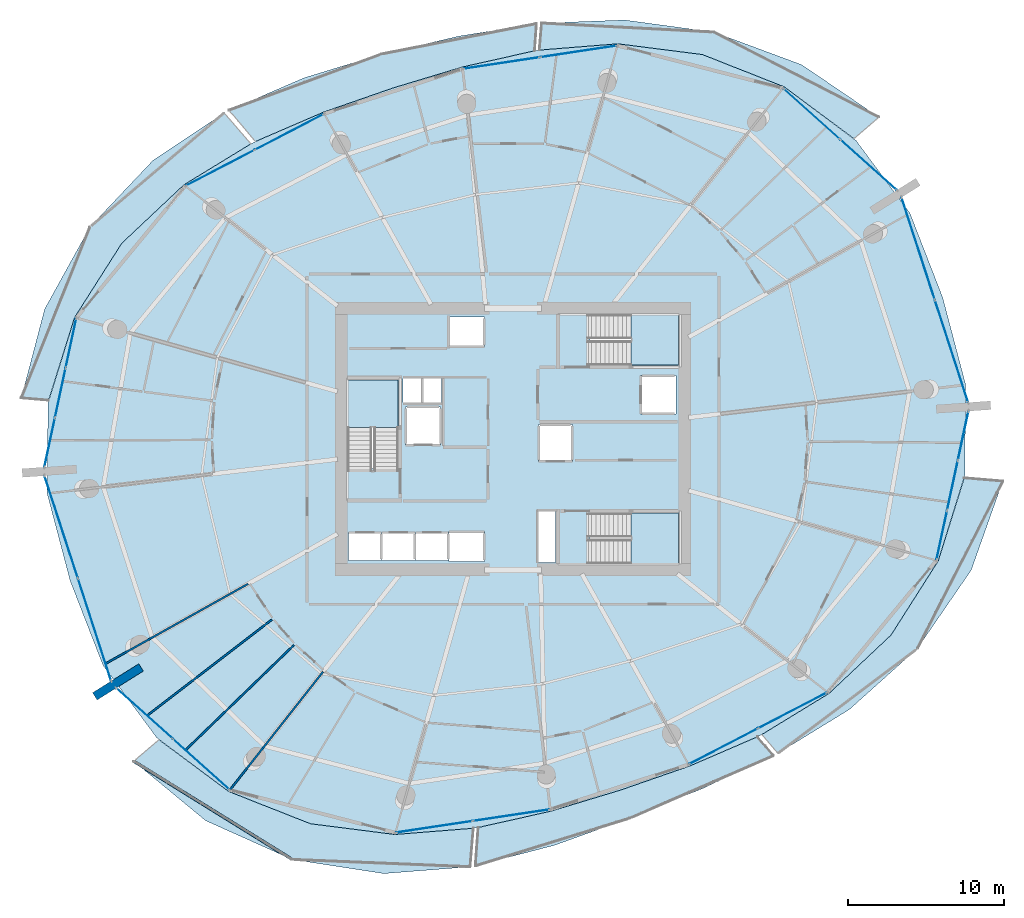
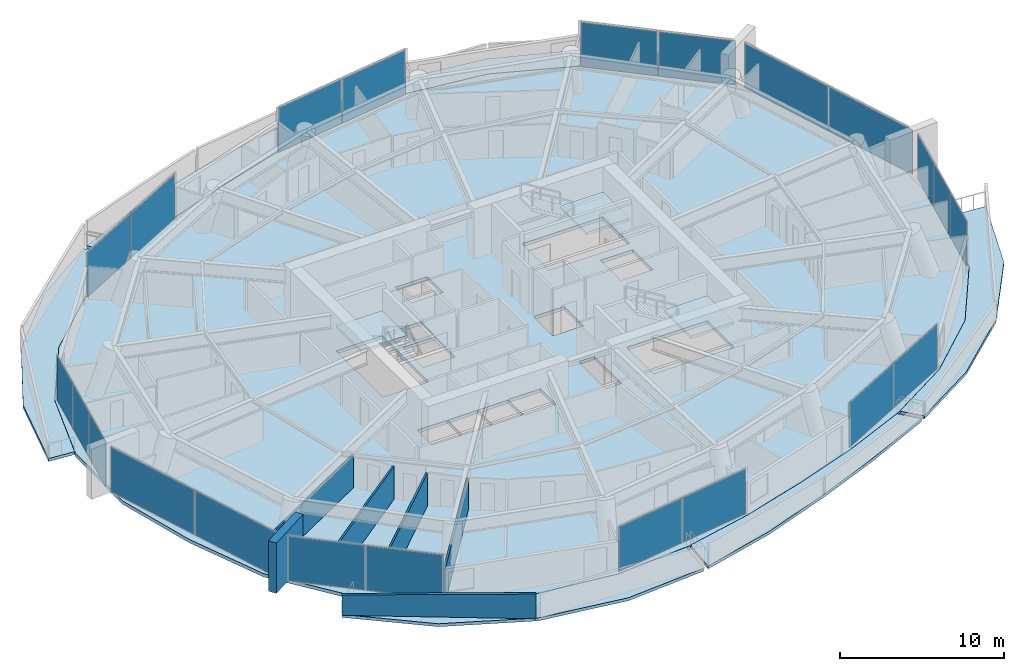
# One storey, part 10 of 23: 22 plates, 10 slabs, 6 walls, 13 elements without a shape of their own.
"""IFC4 building model written with IfcOpenShell, lengths in metres."""

from ifc_helpers import new_model, si_unit, direction, frame, frame_2d, origin, origin_2d, place, context, subcontext, project, spatial, polyline, rectangle, outline, extrude, material, layer, layer_set, type_object, element, aggregate, save


model = new_model("IFC4")

# Units and contexts
model_context = context("Model", 3, precision=1e-05, world=origin(), true_north=direction((0.0, 1.0)))
body_context = subcontext(model_context, "Body", "Model", "MODEL_VIEW")
ifc_project = project(units=[si_unit("LENGTHUNIT", "METRE"), si_unit("AREAUNIT", "SQUARE_METRE"), si_unit("VOLUMEUNIT", "CUBIC_METRE"), si_unit("PLANEANGLEUNIT", "RADIAN"), si_unit("MASSUNIT", "GRAM", prefix="KILO")], contexts=[model_context])

# Site, building, storey
site_placement = place(None, origin())
site = spatial("IfcSite", under=ifc_project, at=site_placement, CompositionType="ELEMENT")
building_placement = place(site_placement, origin())
building = spatial("IfcBuilding", under=site, at=building_placement, Name="Kazma Halo Residences", CompositionType="ELEMENT")
storey_placement = place(building_placement, frame((0.0, 0.0, 112.64990234375)))
storey = spatial("IfcBuildingStorey", under=building, at=storey_placement, Name="L28", CompositionType="ELEMENT", Elevation=112.64990234375)

# Curtain wall, plates
ifc_material_1 = material(Name="Aluminium AW-6063 T6 and Triple-Silver Low-E Glass", Category="aluminium")
ifc_layer_1 = layer(ifc_material_1, 0.199951171875)
ifc_layer_set_1 = layer_set([ifc_layer_1], Name="Aluminium AW-6063 T6 and Triple-Silver Low-E Glass")
curtain_wall_type = type_object("IfcCurtainWallType", Name="CW-SYS-3", PredefinedType="NOTDEFINED", material=ifc_layer_set_1)
curtain_wall_1_placement = place(storey_placement, origin())
curtain_wall_1 = element("IfcCurtainWall", 1, at=curtain_wall_1_placement, inside=storey, type_object=curtain_wall_type, Name="L28 unitised curtain wall B01", PredefinedType="NOTDEFINED")
ifc_material_2 = material(Name="Clear Triple-Silver Low-E Glass IGU", Category="glass")
ifc_layer_2 = layer(ifc_material_2, 0.030029296875)
ifc_layer_set_2 = layer_set([ifc_layer_2], Name="Clear Triple-Silver Low-E Glass IGU")
plate_type = type_object("IfcPlateType", Name="CW-SYS-3-PNL", PredefinedType="CURTAIN_PANEL", material=ifc_layer_set_2)
plate_1_placement = place(storey_placement, frame((71.251220703125, 59.614013671875, 0.070068359375), z_axis=(0.0, 0.0, 1.0), x_axis=(-0.744345279359, 0.667794957375, 0.0)))
plate_1 = element("IfcPlate", 2, at=plate_1_placement, type_object=plate_type, Name="CWS-3 panel 1.1", PredefinedType="CURTAIN_PANEL", context=body_context, shape_type="SweptSolid", body=[
    extrude(rectangle(XDim=4.81982421875, YDim=0.030029296875, at=origin_2d()), origin(), (0.0, 0.0, 1.0), 3.330078125),
])
plate_2_placement = place(storey_placement, frame((67.611572265625, 62.87939453125, 0.070068359375), z_axis=(0.0, 0.0, 1.0), x_axis=(-0.744345279359, 0.667794957375, 0.0)))
plate_2 = element("IfcPlate", 3, at=plate_2_placement, type_object=plate_type, Name="CWS-3 panel 2.1", PredefinedType="CURTAIN_PANEL", context=body_context, shape_type="SweptSolid", body=[
    extrude(rectangle(XDim=4.81982421875, YDim=0.030029296875, at=origin_2d()), origin(), (0.0, 0.0, 1.0), 3.330078125),
])
aggregate(curtain_wall_1, [plate_1, plate_2])

curtain_wall_2_placement = place(storey_placement, origin())
curtain_wall_2 = element("IfcCurtainWall", 4, at=curtain_wall_2_placement, inside=storey, type_object=curtain_wall_type, Name="L28 unitised curtain wall B03", PredefinedType="NOTDEFINED")
plate_3_placement = place(storey_placement, frame((52.625732421875, 66.900390625, 0.070068359375), z_axis=(0.0, 0.0, 1.0), x_axis=(-0.988879747814, -0.148717330409, 0.0)))
plate_3 = element("IfcPlate", 5, at=plate_3_placement, type_object=plate_type, Name="CWS-3 panel 1.1", PredefinedType="CURTAIN_PANEL", context=body_context, shape_type="SweptSolid", body=[
    extrude(rectangle(XDim=4.922607421875, YDim=0.030029296875, at=origin_2d()), origin(), (0.0, 0.0, 1.0), 3.330078125),
])
plate_4_placement = place(storey_placement, frame((47.6884765625, 66.157958984375, 0.070068359375), z_axis=(0.0, 0.0, 1.0), x_axis=(-0.988879747814, -0.148717330409, 0.0)))
plate_4 = element("IfcPlate", 6, at=plate_4_placement, type_object=plate_type, Name="CWS-3 panel 2.1", PredefinedType="CURTAIN_PANEL", context=body_context, shape_type="SweptSolid", body=[
    extrude(rectangle(XDim=4.922607421875, YDim=0.030029296875, at=origin_2d()), origin(), (0.0, 0.0, 1.0), 3.330078125),
])
aggregate(curtain_wall_2, [plate_3, plate_4])

curtain_wall_3_placement = place(storey_placement, origin())
curtain_wall_3 = element("IfcCurtainWall", 7, at=curtain_wall_3_placement, inside=storey, type_object=curtain_wall_type, Name="L28 unitised curtain wall B05", PredefinedType="NOTDEFINED")
plate_5_placement = place(storey_placement, frame((34.052490234375, 61.727294921875, 0.070068359375), z_axis=(0.0, 0.0, 1.0), x_axis=(-0.887435374749, -0.460932159481, 0.0)))
plate_5 = element("IfcPlate", 8, at=plate_5_placement, type_object=plate_type, Name="CWS-3 panel 1.1", PredefinedType="CURTAIN_PANEL", context=body_context, shape_type="SweptSolid", body=[
    extrude(rectangle(XDim=4.9228515625, YDim=0.030029296875, at=origin_2d()), origin(), (0.0, 0.0, 1.0), 3.330078125),
])
plate_6_placement = place(storey_placement, frame((29.62158203125, 59.426025390625, 0.070068359375), z_axis=(0.0, 0.0, 1.0), x_axis=(-0.887435374749, -0.460932159481, 0.0)))
plate_6 = element("IfcPlate", 9, at=plate_6_placement, type_object=plate_type, Name="CWS-3 panel 2.1", PredefinedType="CURTAIN_PANEL", context=body_context, shape_type="SweptSolid", body=[
    extrude(rectangle(XDim=4.9228515625, YDim=0.030029296875, at=origin_2d()), origin(), (0.0, 0.0, 1.0), 3.330078125),
])
aggregate(curtain_wall_3, [plate_5, plate_6])

curtain_wall_4_placement = place(storey_placement, origin())
curtain_wall_4 = element("IfcCurtainWall", 10, at=curtain_wall_4_placement, inside=storey, type_object=curtain_wall_type, Name="L28 unitised curtain wall B07", PredefinedType="NOTDEFINED")
plate_7_placement = place(storey_placement, frame((20.033447265625, 48.1669921875, 0.070068359375), z_axis=(0.0, 0.0, 1.0), x_axis=(-0.209660822677, -0.977774176093, 0.0)))
plate_7 = element("IfcPlate", 11, at=plate_7_placement, type_object=plate_type, Name="CWS-3 panel 1.1", PredefinedType="CURTAIN_PANEL", context=body_context, shape_type="SweptSolid", body=[
    extrude(rectangle(XDim=3.17822265625, YDim=0.030029296875, at=origin_2d()), origin(), (0.0, 0.0, 1.0), 3.330078125),
])
plate_8_placement = place(storey_placement, frame((19.3486328125, 44.973876953125, 0.070068359375), z_axis=(0.0, 0.0, 1.0), x_axis=(-0.209660822677, -0.977774176093, 0.0)))
plate_8 = element("IfcPlate", 12, at=plate_8_placement, type_object=plate_type, Name="CWS-3 panel 2.1", PredefinedType="CURTAIN_PANEL", context=body_context, shape_type="SweptSolid", body=[
    extrude(rectangle(XDim=3.213134765625, YDim=0.030029296875, at=origin_2d()), origin(), (0.0, 0.0, 1.0), 3.330078125),
])
plate_9_placement = place(storey_placement, frame((18.6640625, 41.78076171875, 0.070068359375), z_axis=(0.0, 0.0, 1.0), x_axis=(-0.209660822677, -0.977774176093, 0.0)))
plate_9 = element("IfcPlate", 13, at=plate_9_placement, type_object=plate_type, Name="CWS-3 panel 3.1", PredefinedType="CURTAIN_PANEL", context=body_context, shape_type="SweptSolid", body=[
    extrude(rectangle(XDim=3.17822265625, YDim=0.030029296875, at=origin_2d()), origin(), (0.0, 0.0, 1.0), 3.330078125),
])
aggregate(curtain_wall_4, [plate_7, plate_8, plate_9])

curtain_wall_5_placement = place(storey_placement, origin())
curtain_wall_5 = element("IfcCurtainWall", 14, at=curtain_wall_5_placement, inside=storey, type_object=curtain_wall_type, Name="L28 unitised curtain wall B08", PredefinedType="NOTDEFINED")
plate_10_placement = place(storey_placement, frame((19.40673828125, 36.357421875, 0.070068359375), z_axis=(0.0, 0.0, 1.0), x_axis=(0.309013282008, -0.951057722508, 0.0)))
plate_10 = element("IfcPlate", 15, at=plate_10_placement, type_object=plate_type, Name="CWS-3 panel 1.1", PredefinedType="CURTAIN_PANEL", context=body_context, shape_type="SweptSolid", body=[
    extrude(rectangle(XDim=6.868896484375, YDim=0.030029296875, at=origin_2d()), origin(), (0.0, 0.0, 1.0), 3.330078125),
])
plate_11_placement = place(storey_placement, frame((21.551025390625, 29.758056640625, 0.070068359375), z_axis=(0.0, 0.0, 1.0), x_axis=(0.309013282008, -0.951057722508, 0.0)))
plate_11 = element("IfcPlate", 16, at=plate_11_placement, type_object=plate_type, Name="CWS-3 panel 2.1", PredefinedType="CURTAIN_PANEL", context=body_context, shape_type="SweptSolid", body=[
    extrude(rectangle(XDim=6.868896484375, YDim=0.030029296875, at=origin_2d()), origin(), (0.0, 0.0, 1.0), 3.330078125),
])
aggregate(curtain_wall_5, [plate_10, plate_11])

curtain_wall_6_placement = place(storey_placement, origin())
curtain_wall_6 = element("IfcCurtainWall", 17, at=curtain_wall_6_placement, inside=storey, type_object=curtain_wall_type, Name="L28 unitised curtain wall B09", PredefinedType="NOTDEFINED")
plate_12_placement = place(storey_placement, frame((24.748779296875, 24.385986328125, 0.070068359375), z_axis=(0.0, 0.0, 1.0), x_axis=(0.744345279359, -0.667794957375, 0.0)))
plate_12 = element("IfcPlate", 18, at=plate_12_placement, type_object=plate_type, Name="CWS-3 panel 1.1", PredefinedType="CURTAIN_PANEL", context=body_context, shape_type="SweptSolid", body=[
    extrude(rectangle(XDim=4.81982421875, YDim=0.030029296875, at=origin_2d()), origin(), (0.0, 0.0, 1.0), 3.330078125),
])
plate_13_placement = place(storey_placement, frame((28.388427734375, 21.12060546875, 0.070068359375), z_axis=(0.0, 0.0, 1.0), x_axis=(0.744345279359, -0.667794957375, 0.0)))
plate_13 = element("IfcPlate", 19, at=plate_13_placement, type_object=plate_type, Name="CWS-3 panel 2.1", PredefinedType="CURTAIN_PANEL", context=body_context, shape_type="SweptSolid", body=[
    extrude(rectangle(XDim=4.81982421875, YDim=0.030029296875, at=origin_2d()), origin(), (0.0, 0.0, 1.0), 3.330078125),
])
aggregate(curtain_wall_6, [plate_12, plate_13])

curtain_wall_7_placement = place(storey_placement, origin())
curtain_wall_7 = element("IfcCurtainWall", 20, at=curtain_wall_7_placement, inside=storey, type_object=curtain_wall_type, Name="L28 unitised curtain wall B11", PredefinedType="NOTDEFINED")
plate_14_placement = place(storey_placement, frame((43.374267578125, 17.099609375, 0.070068359375), z_axis=(0.0, 0.0, 1.0), x_axis=(0.988879747814, 0.148717330409, 0.0)))
plate_14 = element("IfcPlate", 21, at=plate_14_placement, type_object=plate_type, Name="CWS-3 panel 1.1", PredefinedType="CURTAIN_PANEL", context=body_context, shape_type="SweptSolid", body=[
    extrude(rectangle(XDim=4.922607421875, YDim=0.030029296875, at=origin_2d()), origin(), (0.0, 0.0, 1.0), 3.330078125),
])
plate_15_placement = place(storey_placement, frame((48.3115234375, 17.842041015625, 0.070068359375), z_axis=(0.0, 0.0, 1.0), x_axis=(0.988879747814, 0.148717330409, 0.0)))
plate_15 = element("IfcPlate", 22, at=plate_15_placement, type_object=plate_type, Name="CWS-3 panel 2.1", PredefinedType="CURTAIN_PANEL", context=body_context, shape_type="SweptSolid", body=[
    extrude(rectangle(XDim=4.922607421875, YDim=0.030029296875, at=origin_2d()), origin(), (0.0, 0.0, 1.0), 3.330078125),
])
aggregate(curtain_wall_7, [plate_14, plate_15])

curtain_wall_8_placement = place(storey_placement, origin())
curtain_wall_8 = element("IfcCurtainWall", 23, at=curtain_wall_8_placement, inside=storey, type_object=curtain_wall_type, Name="L28 unitised curtain wall B13", PredefinedType="NOTDEFINED")
plate_16_placement = place(storey_placement, frame((61.947509765625, 22.272705078125, 0.070068359375), z_axis=(0.0, 0.0, 1.0), x_axis=(0.887435374749, 0.460932159481, 0.0)))
plate_16 = element("IfcPlate", 24, at=plate_16_placement, type_object=plate_type, Name="CWS-3 panel 1.1", PredefinedType="CURTAIN_PANEL", context=body_context, shape_type="SweptSolid", body=[
    extrude(rectangle(XDim=4.9228515625, YDim=0.030029296875, at=origin_2d()), origin(), (0.0, 0.0, 1.0), 3.330078125),
])
plate_17_placement = place(storey_placement, frame((66.37841796875, 24.573974609375, 0.070068359375), z_axis=(0.0, 0.0, 1.0), x_axis=(0.887435374749, 0.460932159481, 0.0)))
plate_17 = element("IfcPlate", 25, at=plate_17_placement, type_object=plate_type, Name="CWS-3 panel 2.1", PredefinedType="CURTAIN_PANEL", context=body_context, shape_type="SweptSolid", body=[
    extrude(rectangle(XDim=4.9228515625, YDim=0.030029296875, at=origin_2d()), origin(), (0.0, 0.0, 1.0), 3.330078125),
])
aggregate(curtain_wall_8, [plate_16, plate_17])

curtain_wall_9_placement = place(storey_placement, origin())
curtain_wall_9 = element("IfcCurtainWall", 26, at=curtain_wall_9_placement, inside=storey, type_object=curtain_wall_type, Name="L28 unitised curtain wall B15", PredefinedType="NOTDEFINED")
plate_18_placement = place(storey_placement, frame((75.966552734375, 35.8330078125, 0.070068359375), z_axis=(0.0, 0.0, 1.0), x_axis=(0.209660822677, 0.977774176093, 0.0)))
plate_18 = element("IfcPlate", 27, at=plate_18_placement, type_object=plate_type, Name="CWS-3 panel 1.1", PredefinedType="CURTAIN_PANEL", context=body_context, shape_type="SweptSolid", body=[
    extrude(rectangle(XDim=3.17822265625, YDim=0.030029296875, at=origin_2d()), origin(), (0.0, 0.0, 1.0), 3.330078125),
])
plate_19_placement = place(storey_placement, frame((76.6513671875, 39.026123046875, 0.070068359375), z_axis=(0.0, 0.0, 1.0), x_axis=(0.209660822677, 0.977774176093, 0.0)))
plate_19 = element("IfcPlate", 28, at=plate_19_placement, type_object=plate_type, Name="CWS-3 panel 2.1", PredefinedType="CURTAIN_PANEL", context=body_context, shape_type="SweptSolid", body=[
    extrude(rectangle(XDim=3.213134765625, YDim=0.030029296875, at=origin_2d()), origin(), (0.0, 0.0, 1.0), 3.330078125),
])
plate_20_placement = place(storey_placement, frame((77.3359375, 42.21923828125, 0.070068359375), z_axis=(0.0, 0.0, 1.0), x_axis=(0.209660822677, 0.977774176093, 0.0)))
plate_20 = element("IfcPlate", 29, at=plate_20_placement, type_object=plate_type, Name="CWS-3 panel 3.1", PredefinedType="CURTAIN_PANEL", context=body_context, shape_type="SweptSolid", body=[
    extrude(rectangle(XDim=3.17822265625, YDim=0.030029296875, at=origin_2d()), origin(), (0.0, 0.0, 1.0), 3.330078125),
])
aggregate(curtain_wall_9, [plate_18, plate_19, plate_20])

curtain_wall_10_placement = place(storey_placement, origin())
curtain_wall_10 = element("IfcCurtainWall", 30, at=curtain_wall_10_placement, inside=storey, type_object=curtain_wall_type, Name="L28 unitised curtain wall B16", PredefinedType="NOTDEFINED")
plate_21_placement = place(storey_placement, frame((76.59326171875, 47.642578125, 0.070068359375), z_axis=(0.0, 0.0, 1.0), x_axis=(-0.309013282008, 0.951057722508, 0.0)))
plate_21 = element("IfcPlate", 31, at=plate_21_placement, type_object=plate_type, Name="CWS-3 panel 1.1", PredefinedType="CURTAIN_PANEL", context=body_context, shape_type="SweptSolid", body=[
    extrude(rectangle(XDim=6.868896484375, YDim=0.030029296875, at=origin_2d()), origin(), (0.0, 0.0, 1.0), 3.330078125),
])
plate_22_placement = place(storey_placement, frame((74.448974609375, 54.241943359375, 0.070068359375), z_axis=(0.0, 0.0, 1.0), x_axis=(-0.309013282008, 0.951057722508, 0.0)))
plate_22 = element("IfcPlate", 32, at=plate_22_placement, type_object=plate_type, Name="CWS-3 panel 2.1", PredefinedType="CURTAIN_PANEL", context=body_context, shape_type="SweptSolid", body=[
    extrude(rectangle(XDim=6.868896484375, YDim=0.030029296875, at=origin_2d()), origin(), (0.0, 0.0, 1.0), 3.330078125),
])
aggregate(curtain_wall_10, [plate_21, plate_22])

# Slabs
ifc_material_3 = material(Name="White Concrete C50/60", Category="concrete")
ifc_layer_3 = layer(ifc_material_3, 0.219970703125)
ifc_layer_set_3 = layer_set([ifc_layer_3], Name="White Concrete C50/60")
slab_type_1 = type_object("IfcSlabType", Name="SLB-BAL-WAVE-210", PredefinedType="FLOOR", material=ifc_layer_set_3)
slab_1_placement = place(storey_placement, frame((0.0, 0.0, -0.219970703125)))
element("IfcSlab", 33, at=slab_1_placement, inside=storey, type_object=slab_type_1, Name="L28 NE cantilevered wave balcony slab", PredefinedType="FLOOR", context=body_context, shape_type="SweptSolid", body=[
    extrude(outline(polyline([(70.323974609375, 61.303466796875), (65.841064453125, 64.63134765625), (60.5869140625, 66.702880859375), (55.161865234375, 67.394287109375), (50.12060546875, 66.992431640625), (50.267333984375, 68.7216796875), (55.593017578125, 68.922607421875), (61.321044921875, 68.144287109375), (66.961181640625, 66.052001953125), (71.92041015625, 62.68408203125), (70.323974609375, 61.303466796875)])), origin(), (0.0, 0.0, 1.0), 0.219970703125),
])
slab_2_placement = place(storey_placement, frame((0.0, 0.0, -0.219970703125)))
element("IfcSlab", 34, at=slab_2_placement, inside=storey, type_object=slab_type_1, Name="L28 NNW cantilevered wave balcony slab", PredefinedType="FLOOR", context=body_context, shape_type="SweptSolid", body=[
    extrude(outline(polyline([(49.81005859375, 66.94580078125), (45.1708984375, 65.902587890625), (40.675048828125, 64.544189453125), (36.239013671875, 63.00048828125), (31.872802734375, 61.11767578125), (30.180419921875, 63.124267578125), (35.002685546875, 65.208251953125), (39.965087890625, 66.728759765625), (44.936279296875, 67.88525390625), (49.936279296875, 68.685546875), (49.81005859375, 66.94580078125)])), origin(), (0.0, 0.0, 1.0), 0.219970703125),
])
slab_3_placement = place(storey_placement, frame((0.0, 0.0, -0.219970703125)))
element("IfcSlab", 35, at=slab_3_placement, inside=storey, type_object=slab_type_1, Name="L28 NW cantilevered wave balcony slab", PredefinedType="FLOOR", context=body_context, shape_type="SweptSolid", body=[
    extrude(outline(polyline([(31.59423828125, 60.972900390625), (27.279541015625, 58.334716796875), (23.297119140625, 54.5869140625), (20.263916015625, 49.822509765625), (18.59326171875, 44.4951171875), (16.84033203125, 44.643798828125), (18.34228515625, 50.3642578125), (21.25048828125, 55.629638671875), (25.292236328125, 59.9013671875), (29.874267578125, 62.9619140625), (31.59423828125, 60.972900390625)])), origin(), (0.0, 0.0, 1.0), 0.219970703125),
])
slab_4_placement = place(storey_placement, frame((0.0, 0.0, -0.219970703125)))
element("IfcSlab", 36, at=slab_4_placement, inside=storey, type_object=slab_type_1, Name="L28 SW cantilevered wave balcony slab", PredefinedType="FLOOR", context=body_context, shape_type="SweptSolid", body=[
    extrude(outline(polyline([(25.676025390625, 22.696533203125), (30.158935546875, 19.36865234375), (35.4130859375, 17.297119140625), (40.838134765625, 16.605712890625), (45.87939453125, 17.007568359375), (45.669189453125, 14.5322265625), (40.130126953125, 14.095703125), (34.24267578125, 14.999755859375), (28.68115234375, 17.494140625), (24.065185546875, 21.303466796875), (25.676025390625, 22.696533203125)])), origin(), (0.0, 0.0, 1.0), 0.219970703125),
])
slab_5_placement = place(storey_placement, frame((0.0, 0.0, -0.219970703125)))
element("IfcSlab", 37, at=slab_5_placement, inside=storey, type_object=slab_type_1, Name="L28 SSE cantilevered wave balcony slab", PredefinedType="FLOOR", context=body_context, shape_type="SweptSolid", body=[
    extrude(outline(polyline([(46.18994140625, 17.05419921875), (50.8291015625, 18.097412109375), (55.324951171875, 19.455810546875), (59.760986328125, 20.99951171875), (64.127197265625, 22.88232421875), (65.1494140625, 21.670654296875), (60.57470703125, 19.546142578125), (55.911865234375, 17.64990234375), (51.087646484375, 15.9130859375), (46.011474609375, 14.594482421875), (46.18994140625, 17.05419921875)])), origin(), (0.0, 0.0, 1.0), 0.219970703125),
])
slab_6_placement = place(storey_placement, frame((0.0, 0.0, -0.219970703125)))
element("IfcSlab", 38, at=slab_6_placement, inside=storey, type_object=slab_type_1, Name="L28 SE cantilevered wave balcony slab", PredefinedType="FLOOR", context=body_context, shape_type="SweptSolid", body=[
    extrude(outline(polyline([(64.40576171875, 23.027099609375), (68.720458984375, 25.665283203125), (72.702880859375, 29.4130859375), (75.736083984375, 34.177490234375), (77.40673828125, 39.5048828125), (79.87890625, 39.294921875), (77.85302734375, 33.58056640625), (74.39501953125, 28.551025390625), (70.028564453125, 24.634033203125), (65.44580078125, 21.82470703125), (64.40576171875, 23.027099609375)])), origin(), (0.0, 0.0, 1.0), 0.219970703125),
])
ifc_material_4 = material(Name="Concrete C50/60", Category="concrete")
ifc_layer_4 = layer(ifc_material_4, 0.25)
ifc_layer_set_4 = layer_set([ifc_layer_4], Name="Concrete C50/60")
slab_type_2 = type_object("IfcSlabType", Name="SLB-RES-250", PredefinedType="FLOOR", material=ifc_layer_set_4)
slab_7_placement = place(storey_placement, frame((0.0, 0.0, -0.25)))
element("IfcSlab", 39, at=slab_7_placement, inside=storey, type_object=slab_type_2, Name="L28 structural floor slab", PredefinedType="FLOOR", context=body_context, shape_type="SweptSolid", body=[
    extrude(outline(polyline([(76.02001953125, 51.104248046875), (73.918212890625, 56.514892578125), (70.459716796875, 61.182373046875), (65.83984375, 64.629638671875), (60.5859375, 66.701171875), (55.161376953125, 67.392333984375), (49.9658203125, 66.976806640625), (45.171142578125, 65.900634765625), (40.675537109375, 64.542236328125), (36.239990234375, 62.998779296875), (31.728759765625, 61.05126953125), (27.281005859375, 58.33349609375), (23.298828125, 54.5859375), (20.265869140625, 49.82177734375), (18.554443359375, 44.3173828125), (18.500244140625, 38.508544921875), (19.97998046875, 32.895751953125), (22.081787109375, 27.485107421875), (25.540283203125, 22.817626953125), (30.16015625, 19.370361328125), (35.4140625, 17.298828125), (40.838623046875, 16.607666015625), (46.0341796875, 17.023193359375), (50.828857421875, 18.099365234375), (55.324462890625, 19.457763671875), (59.760009765625, 21.001220703125), (64.271240234375, 22.94873046875), (68.718994140625, 25.66650390625), (72.701171875, 29.4140625), (75.734130859375, 34.17822265625), (77.445556640625, 39.6826171875), (77.499755859375, 45.491455078125), (76.02001953125, 51.104248046875)]), holes=[polyline([(37.800048828125, 40.110107421875), (41.050048828125, 40.110107421875), (41.050048828125, 45.800048828125), (37.800048828125, 45.800048828125), (37.800048828125, 40.110107421875)]), polyline([(53.360107421875, 46.75), (59.050048828125, 46.75), (59.050048828125, 50.0), (53.360107421875, 50.0), (53.360107421875, 46.75)]), polyline([(53.360107421875, 34.0), (59.050048828125, 34.0), (59.050048828125, 37.25), (53.360107421875, 37.25), (53.360107421875, 34.0)]), polyline([(41.52001953125, 41.6201171875), (43.780029296875, 41.6201171875), (43.780029296875, 44.080078125), (41.52001953125, 44.080078125), (41.52001953125, 41.6201171875)]), polyline([(56.6201171875, 43.6201171875), (58.8798828125, 43.6201171875), (58.8798828125, 46.080078125), (56.6201171875, 46.080078125), (56.6201171875, 43.6201171875)]), polyline([(37.864990234375, 34.195068359375), (39.97509765625, 34.195068359375), (39.97509765625, 36.0048828125), (37.864990234375, 36.0048828125), (37.864990234375, 34.195068359375)]), polyline([(40.014892578125, 34.195068359375), (42.125, 34.195068359375), (42.125, 36.0048828125), (40.014892578125, 36.0048828125), (40.014892578125, 34.195068359375)]), polyline([(42.1650390625, 34.195068359375), (44.27490234375, 34.195068359375), (44.27490234375, 36.0048828125), (42.1650390625, 36.0048828125), (42.1650390625, 34.195068359375)]), polyline([(44.320068359375, 47.945068359375), (46.580078125, 47.945068359375), (46.580078125, 49.85498046875), (44.320068359375, 49.85498046875), (44.320068359375, 47.945068359375)]), polyline([(44.320068359375, 34.14501953125), (46.580078125, 34.14501953125), (46.580078125, 36.054931640625), (44.320068359375, 36.054931640625), (44.320068359375, 34.14501953125)]), polyline([(50.070068359375, 40.570068359375), (52.22998046875, 40.570068359375), (52.22998046875, 42.929931640625), (50.070068359375, 42.929931640625), (50.070068359375, 40.570068359375)]), polyline([(41.360107421875, 44.340087890625), (42.5400390625, 44.340087890625), (42.5400390625, 45.89990234375), (41.360107421875, 45.89990234375), (41.360107421875, 44.340087890625)]), polyline([(42.659912109375, 44.340087890625), (43.840087890625, 44.340087890625), (43.840087890625, 45.89990234375), (42.659912109375, 45.89990234375), (42.659912109375, 44.340087890625)]), polyline([(50.06005859375, 34.080078125), (51.159912109375, 34.080078125), (51.159912109375, 37.3798828125), (50.06005859375, 37.3798828125), (50.06005859375, 34.080078125)])]), origin(), (0.0, 0.0, 1.0), 0.25),
])

# Stair, slab
stair_type = type_object("IfcStairType", Name="STR-RES1", PredefinedType="HALF_TURN_STAIR", material=ifc_material_4)
stair_1_placement = place(storey_placement, origin())
stair_1 = element("IfcStair", 40, at=stair_1_placement, inside=storey, type_object=stair_type, Name="L28 Core exit stair ST-01", PredefinedType="HALF_TURN_STAIR")
ifc_layer_5 = layer(ifc_material_4, 0.199951171875)
ifc_layer_set_5 = layer_set([ifc_layer_5], Name="Concrete C50/60")
slab_type_3 = type_object("IfcSlabType", Name="SLB-STAIR-LND-200", PredefinedType="LANDING", material=ifc_layer_set_5)
slab_8_placement = place(storey_placement, frame((0.0, 0.0, 1.675048828125)))
slab_8 = element("IfcSlab", 41, at=slab_8_placement, type_object=slab_type_3, Name="ST-01 landing 1", PredefinedType="LANDING", context=body_context, shape_type="SweptSolid", body=[
    extrude(outline(polyline([(41.050048828125, 42.75), (41.050048828125, 45.800048828125), (37.800048828125, 45.800048828125), (37.800048828125, 42.75), (41.050048828125, 42.75)])), origin(), (0.0, 0.0, 1.0), 0.199951171875),
])
aggregate(stair_1, [slab_8])

stair_2_placement = place(storey_placement, origin())
stair_2 = element("IfcStair", 42, at=stair_2_placement, inside=storey, type_object=stair_type, Name="L28 Core exit stair ST-02", PredefinedType="HALF_TURN_STAIR")
slab_9_placement = place(storey_placement, frame((0.0, 0.0, 1.675048828125)))
slab_9 = element("IfcSlab", 43, at=slab_9_placement, type_object=slab_type_3, Name="ST-02 landing 1", PredefinedType="LANDING", context=body_context, shape_type="SweptSolid", body=[
    extrude(outline(polyline([(56.0, 46.75), (59.050048828125, 46.75), (59.050048828125, 50.0), (56.0, 50.0), (56.0, 46.75)])), origin(), (0.0, 0.0, 1.0), 0.199951171875),
])
aggregate(stair_2, [slab_9])

stair_3_placement = place(storey_placement, origin())
stair_3 = element("IfcStair", 44, at=stair_3_placement, inside=storey, type_object=stair_type, Name="L28 Core exit stair ST-03", PredefinedType="HALF_TURN_STAIR")
slab_10_placement = place(storey_placement, frame((0.0, 0.0, 1.675048828125)))
slab_10 = element("IfcSlab", 45, at=slab_10_placement, type_object=slab_type_3, Name="ST-03 landing 1", PredefinedType="LANDING", context=body_context, shape_type="SweptSolid", body=[
    extrude(outline(polyline([(56.0, 34.0), (59.050048828125, 34.0), (59.050048828125, 37.25), (56.0, 37.25), (56.0, 34.0)])), origin(), (0.0, 0.0, 1.0), 0.199951171875),
])
aggregate(stair_3, [slab_10])

# Walls
ifc_material_5 = material(Name="White Concrete C50/60 Balustrade", Category="concrete")
ifc_layer_6 = layer(ifc_material_5, 0.179931640625)
ifc_layer_set_6 = layer_set([ifc_layer_6], Name="White Concrete C50/60 Balustrade")
wall_type_1 = type_object("IfcWallType", Name="WL-BAL-WAVE-180", PredefinedType="PARAPET", material=ifc_layer_set_6)
wall_1_placement = place(storey_placement, frame((24.065185546875, 21.303466796875, 0.0), z_axis=(0.0, 0.0, 1.0), x_axis=(0.850140442318, -0.526556006836, 0.0)))
element("IfcWall", 46, at=wall_1_placement, inside=storey, type_object=wall_type_1, Name="L28 white wave balustrade wall SW.1", PredefinedType="PARAPET", context=body_context, shape_type="SweptSolid", body=[
    extrude(outline(polyline([(0.0, 0.0), (11.8515625, 0.0), (11.8515625, 1.83203125), (5.92578125, 1.696044921875), (0.0, 1.4970703125), (0.0, 0.0)])), frame((0.0, 0.08984375, 0.0), z_axis=(0.0, -1.0, 0.0), x_axis=(1.0, 0.0, 0.0)), (0.0, 0.0, 1.0), 0.179931640625),
])
ifc_material_6 = material(Name="Pale Concrete C60/75", Category="concrete")
ifc_layer_7 = layer(ifc_material_6, 0.550048828125)
ifc_layer_set_7 = layer_set([ifc_layer_7], Name="Pale Concrete C60/75")
wall_type_2 = type_object("IfcWallType", Name="WL-BLADE-550", PredefinedType="SOLIDWALL", material=ifc_layer_set_7)
wall_2_placement = place(storey_placement, frame((24.531494140625, 27.335205078125, 0.0), z_axis=(0.0, 0.0, 1.0), x_axis=(-0.848053161125, -0.529911158502, 0.0)))
element("IfcWall", 47, at=wall_2_placement, inside=storey, type_object=wall_type_2, Name="L28 pale concrete structural blade fin wall BW-03", PredefinedType="SOLIDWALL", context=body_context, shape_type="SweptSolid", body=[
    extrude(rectangle(XDim=3.5, YDim=0.550048828125, at=frame_2d((1.75, 0.0))), origin(), (0.0, 0.0, 1.0), 3.75),
])
ifc_material_7 = material(Name="Gypsum Plasterboard Partition")
ifc_layer_8 = layer(ifc_material_7, 0.125)
ifc_layer_set_8 = layer_set([ifc_layer_8], Name="Gypsum Plasterboard Partition")
wall_type_3 = type_object("IfcWallType", Name="WL-PART-125", PredefinedType="PARTITIONING", material=ifc_layer_set_8)
wall_3_placement = place(storey_placement, frame((31.406005859375, 32.706787109375, 0.0), z_axis=(0.0, 0.0, 1.0), x_axis=(-0.872500841978, -0.488612608052, 0.0)))
element("IfcWall", 48, at=wall_3_placement, inside=storey, type_object=wall_type_3, Name="L28 Apartment 1 radial partition 8", PredefinedType="PARTITIONING", context=body_context, shape_type="SweptSolid", body=[
    extrude(rectangle(XDim=10.46044921875, YDim=0.125, at=frame_2d((5.230224609375, 0.0))), origin(), (0.0, 0.0, 1.0), 2.427001953125),
])
wall_4_placement = place(storey_placement, frame((32.934326171875, 30.408203125, 0.0), z_axis=(0.0, 0.0, 1.0), x_axis=(-0.792552954037, -0.609803095308, 0.0)))
element("IfcWall", 49, at=wall_4_placement, inside=storey, type_object=wall_type_3, Name="L28 Apartment 1 bay wall 1 8", PredefinedType="PARTITIONING", context=body_context, shape_type="SweptSolid", body=[
    extrude(rectangle(XDim=10.09423828125, YDim=0.125, at=frame_2d((5.047119140625, 0.0))), origin(), (0.0, 0.0, 1.0), 2.445068359375),
])
wall_5_placement = place(storey_placement, frame((34.34912109375, 28.771484375, 0.0), z_axis=(0.0, 0.0, 1.0), x_axis=(-0.718111331478, -0.695928240268, 0.0)))
element("IfcWall", 50, at=wall_5_placement, inside=storey, type_object=wall_type_3, Name="L28 Apartment 1 bay wall 2 8", PredefinedType="PARTITIONING", context=body_context, shape_type="SweptSolid", body=[
    extrude(rectangle(XDim=9.674072265625, YDim=0.125, at=frame_2d((4.8369140625, 0.0))), origin(), (0.0, 0.0, 1.0), 2.445068359375),
])
wall_6_placement = place(storey_placement, frame((36.2255859375, 27.064208984375, 0.0), z_axis=(0.0, 0.0, 1.0), x_axis=(-0.619089743422, -0.785320246517, 0.0)))
element("IfcWall", 51, at=wall_6_placement, inside=storey, type_object=wall_type_3, Name="L28 Apartment 1 radial partition 9", PredefinedType="PARTITIONING", context=body_context, shape_type="SweptSolid", body=[
    extrude(rectangle(XDim=9.652099609375, YDim=0.125, at=frame_2d((4.826171875, 0.0))), origin(), (0.0, 0.0, 1.0), 2.427001953125),
])

save(model, "model.ifc")
